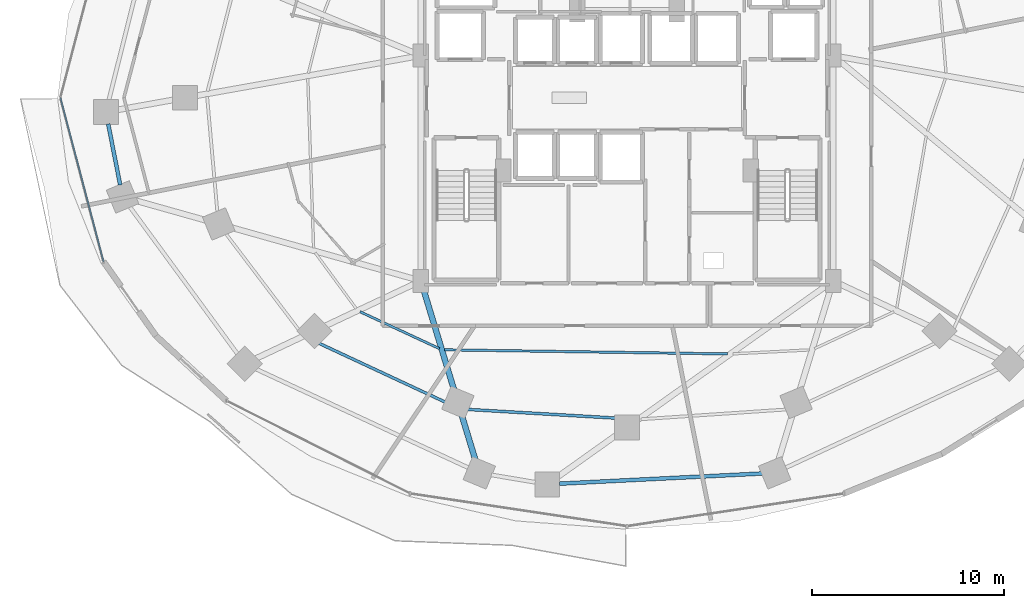
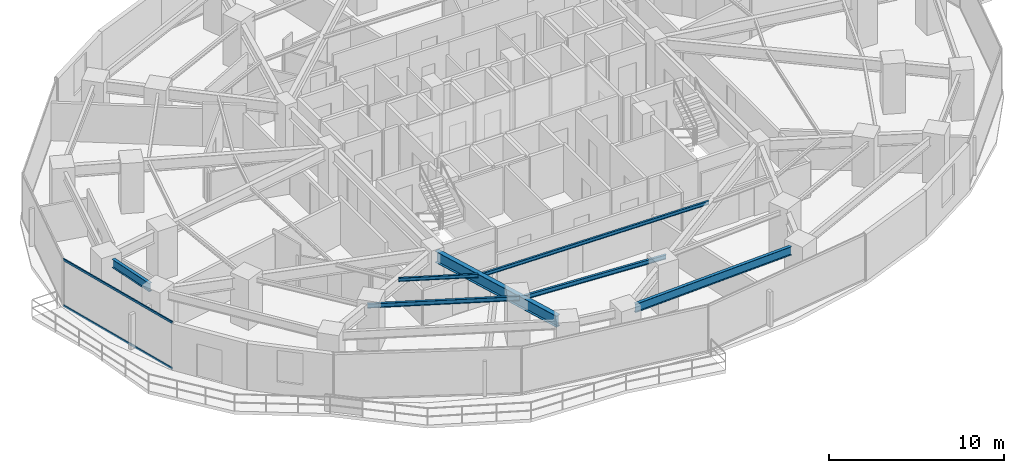
# One storey, part 6 of 30: 7 beams, 2 members, 1 element without a shape of its own.
"""IFC4 building model written with IfcOpenShell, lengths in metres."""

import ifcopenshell
import ifcopenshell.guid

model = None  # the IFC model being written
_history = None  # IfcOwnerHistory: only IFC2X3 demands one
_inside = {}  # id of a spatial element -> (the spatial element, [elements in it])
_under = {}  # id of a project, library or spatial element -> (it, [spatial elements below it])
_declared = {}  # id of a project -> (the project, [libraries it declares])
_typed = {}  # id of a type object -> (the type object, [elements of that type])
_made_of = {}  # id of a material, layer set ... -> (it, [elements and type objects made of it])


def new_model(schema):
    """Start an empty IFC model of exactly this schema.

    Asked for "IFC4X3", IfcOpenShell would pick the latest addendum, in which some entities
    have other attributes; the version numbers below select the first issue.
    IFC2X3 requires an IfcOwnerHistory on every rooted entity: one is made here for all.
    """
    global model, _history
    if schema == "IFC4X3":
        model = ifcopenshell.file(schema_version=(4, 3, 0, 0))
    else:
        model = ifcopenshell.file(schema=schema)
    _inside.clear()
    _under.clear()
    _declared.clear()
    _typed.clear()
    _made_of.clear()
    _history = None
    if model.schema == "IFC2X3":
        org = make("IfcOrganization", Name="unknown")
        user = make(
            "IfcPersonAndOrganization",
            ThePerson=make("IfcPerson", FamilyName="unknown"),
            TheOrganization=org,
        )
        app = make(
            "IfcApplication",
            ApplicationDeveloper=org,
            Version="unknown",
            ApplicationFullName="unknown",
            ApplicationIdentifier="unknown",
        )
        _history = make(
            "IfcOwnerHistory",
            OwningUser=user,
            OwningApplication=app,
            ChangeAction="ADDED",
            CreationDate=0,
        )
    return model


def make(cls, **values):
    """One entity of the class cls with the attributes given. An attribute that is None is left unset."""
    return model.create_entity(
        cls, **{name: value for name, value in values.items() if value is not None}
    )


def rooted(cls, **values):
    """An entity with a GlobalId (a new one), such as an element, a storey or a relation."""
    return make(cls, GlobalId=ifcopenshell.guid.new(), OwnerHistory=_history, **values)


def si_unit(unit_type, name, prefix=None):
    """IfcSIUnit, for example si_unit("LENGTHUNIT", "METRE", prefix="MILLI")."""
    return make("IfcSIUnit", UnitType=unit_type, Prefix=prefix, Name=name)


def assignment(units):
    """IfcUnitAssignment: the units of a project."""
    return None if units is None else make("IfcUnitAssignment", Units=units)


def point(xyz):
    """IfcCartesianPoint."""
    return None if xyz is None else make("IfcCartesianPoint", Coordinates=xyz)


def direction(xyz):
    """IfcDirection."""
    return None if xyz is None else make("IfcDirection", DirectionRatios=xyz)


def frame(location, z_axis=None, x_axis=None):
    """IfcAxis2Placement3D, a coordinate frame: its origin and axes. An axis left out is left unset."""
    return make(
        "IfcAxis2Placement3D",
        Location=point(location),
        Axis=direction(z_axis),
        RefDirection=direction(x_axis),
    )


def frame_2d(location, x_axis=None):
    """IfcAxis2Placement2D, a coordinate frame in the plane: its origin and x axis."""
    return make(
        "IfcAxis2Placement2D", Location=point(location), RefDirection=direction(x_axis)
    )


def origin():
    """The frame at (0, 0, 0) with its axes left unset."""
    return frame((0.0, 0.0, 0.0))


def origin_2d():
    """The frame at (0, 0) in the plane with its x axis left unset."""
    return frame_2d((0.0, 0.0))


def place(relative_to, where):
    """IfcLocalPlacement: puts the frame where relative to a parent placement (None: the world)."""
    return make(
        "IfcLocalPlacement", PlacementRelTo=relative_to, RelativePlacement=where
    )


def context(
    kind, dimensions, precision=None, world=None, true_north=None, identifier=None
):
    """IfcGeometricRepresentationContext, for example the 3D "Model" context."""
    return make(
        "IfcGeometricRepresentationContext",
        ContextIdentifier=identifier,
        ContextType=kind,
        CoordinateSpaceDimension=dimensions,
        Precision=precision,
        WorldCoordinateSystem=world,
        TrueNorth=true_north,
    )


def subcontext(parent, identifier, kind, view, scale=None):
    """IfcGeometricRepresentationSubContext, for example "Body" below "Model"."""
    return make(
        "IfcGeometricRepresentationSubContext",
        ContextIdentifier=identifier,
        ContextType=kind,
        ParentContext=parent,
        TargetScale=scale,
        TargetView=view,
    )


def project(units=None, contexts=None):
    """IfcProject with its units and contexts."""
    return rooted(
        "IfcProject",
        Name="project",
        RepresentationContexts=contexts,
        UnitsInContext=assignment(units),
    )


def spatial(cls, under=None, at=None, **own):
    """A site, building, storey or space (cls), placed at a placement, below another one or the project."""
    s = rooted(cls, ObjectPlacement=at, **own)
    if under is not None:
        _under.setdefault(under.id(), (under, []))[1].append(s)
    return s


def profile(cls, at=None, kind="AREA", **sizes):
    """A parametric profile (cls). Its sizes go by their IFC names, for example OverallWidth=200.0."""
    return make(cls, ProfileType=kind, Position=at, **sizes)


def hollow_rectangle(**sizes):
    """IfcRectangleHollowProfileDef."""
    return profile("IfcRectangleHollowProfileDef", **sizes)


def i_section(**sizes):
    """IfcIShapeProfileDef."""
    return profile("IfcIShapeProfileDef", **sizes)


def extrude(swept, where, along, depth):
    """IfcExtrudedAreaSolid: the profile swept, set in the frame where, extruded along a direction by depth."""
    return make(
        "IfcExtrudedAreaSolid",
        SweptArea=swept,
        Position=where,
        ExtrudedDirection=direction(along),
        Depth=depth,
    )


def shape(context_of_items, identifier, shape_type, items):
    """IfcShapeRepresentation: the items that make up one representation, for example the "Body"."""
    return make(
        "IfcShapeRepresentation",
        ContextOfItems=context_of_items,
        RepresentationIdentifier=identifier,
        RepresentationType=shape_type,
        Items=items,
    )


def material(Name=None, Category=None):
    """IfcMaterial."""
    return make("IfcMaterial", Name=Name, Category=Category)


def material_profile(
    of_material, cross_section, Name=None, Category=None, Priority=None
):
    """IfcMaterialProfile: a cross section and its material."""
    return make(
        "IfcMaterialProfile",
        Name=Name,
        Material=of_material,
        Profile=cross_section,
        Priority=Priority,
        Category=Category,
    )


def profile_set(profiles, Name=None, composite=None):
    """IfcMaterialProfileSet."""
    return make(
        "IfcMaterialProfileSet",
        Name=Name,
        MaterialProfiles=profiles,
        CompositeProfile=composite,
    )


def made_of(thing, what):
    """Note that an element or type object is made of a material, layer set ...; save() writes the relation."""
    if what is not None:
        _made_of.setdefault(what.id(), (what, []))[1].append(thing)
    return thing


def type_object(cls, material=None, **own):
    """A type object (cls), such as IfcWallType, which elements share."""
    return made_of(rooted(cls, **own), material)


def element(
    cls,
    number,
    at=None,
    inside=None,
    cuts=None,
    type_object=None,
    material=None,
    context=None,
    identifier="Body",
    shape_type=None,
    held_by="IfcProductDefinitionShape",
    body=None,
    shapes=None,
    **own,
):
    """One element of the class cls, such as IfcWall. Its Tag is "e" and its number.

    at: its placement. inside: the storey or other place that contains it. cuts: it is an
    opening in that element (IfcRelVoidsElement). A single representation is given by context,
    identifier, shape_type and body (its items); several are given by shapes. held_by: the class
    of the entity that holds the representations. save() writes the other relations.
    """
    e = rooted(cls, Tag="e%d" % number, ObjectPlacement=at, **own)
    if body is not None:
        shapes = [shape(context, identifier, shape_type, body)]
    if shapes is not None:
        e.Representation = make(held_by, Representations=shapes)
    if inside is not None:
        _inside.setdefault(inside.id(), (inside, []))[1].append(e)
    if cuts is not None:
        rooted(
            "IfcRelVoidsElement", RelatingBuildingElement=cuts, RelatedOpeningElement=e
        )
    if type_object is not None:
        _typed.setdefault(type_object.id(), (type_object, []))[1].append(e)
    return made_of(e, material)


def aggregate(whole, parts):
    """IfcRelAggregates: a whole, such as a stair, and the parts it consists of."""
    return rooted("IfcRelAggregates", RelatingObject=whole, RelatedObjects=parts)


def save(model, path):
    """Write the relations noted so far, then the file.

    IfcRelAggregates (storeys below a building ...), IfcRelContainedInSpatialStructure (elements
    in a storey), IfcRelDefinesByType, IfcRelAssociatesMaterial and IfcRelDeclares: one each for
    every whole, place, type object, material and project.
    """
    for whole, parts in _under.values():
        aggregate(whole, parts)
    for where, things in _inside.values():
        rooted(
            "IfcRelContainedInSpatialStructure",
            RelatedElements=things,
            RelatingStructure=where,
        )
    for kind, things in _typed.values():
        rooted("IfcRelDefinesByType", RelatedObjects=things, RelatingType=kind)
    for what, things in _made_of.values():
        rooted("IfcRelAssociatesMaterial", RelatedObjects=things, RelatingMaterial=what)
    for by, libraries in _declared.values():
        rooted("IfcRelDeclares", RelatingContext=by, RelatedDefinitions=libraries)
    model.write(path)


model = new_model("IFC4")

# Units and contexts
model_context = context("Model", 3, precision=1e-05, world=origin(), true_north=direction((0.0, 1.0)))
body_context = subcontext(model_context, "Body", "Model", "MODEL_VIEW")
ifc_project = project(units=[si_unit("LENGTHUNIT", "METRE"), si_unit("AREAUNIT", "SQUARE_METRE"), si_unit("VOLUMEUNIT", "CUBIC_METRE"), si_unit("PLANEANGLEUNIT", "RADIAN"), si_unit("MASSUNIT", "GRAM", prefix="KILO")], contexts=[model_context])

# Site, building, storey
site_placement = place(None, origin())
site = spatial("IfcSite", under=ifc_project, at=site_placement, CompositionType="ELEMENT")
building_placement = place(site_placement, origin())
building = spatial("IfcBuilding", under=site, at=building_placement, Name="Vorneva Point Tower", CompositionType="ELEMENT")
storey_placement = place(building_placement, frame((0.0, 0.0, 41.5)))
storey = spatial("IfcBuildingStorey", under=building, at=storey_placement, Name="L10", CompositionType="ELEMENT", Elevation=41.5)

# Beams
ifc_material_1 = material(Name="Steel S355", Category="steel")
ifc_material_profile_1 = material_profile(ifc_material_1, i_section(OverallWidth=0.300048828125, OverallDepth=0.7880859375, WebThickness=0.014404296875, FlangeThickness=0.02197265625, at=origin_2d()), Name="80Sh1")
ifc_profile_set_1 = profile_set([ifc_material_profile_1], Name="Steel S355")
beam_type_1 = type_object("IfcBeamType", Name="BM-GRD-80Sh1", PredefinedType="USERDEFINED", material=ifc_profile_set_1)
beam_1_placement = place(storey_placement, frame((30.111083984375, 7.045654296875, 2.845947265625), z_axis=(-0.29104183924, 0.956710325967, 0.0), x_axis=(-0.956710325967, -0.29104183924, 0.0)))
element("IfcBeam", 1, at=beam_1_placement, inside=storey, type_object=beam_type_1, Name="L10 Radial Primary Girder 12", ObjectType="GIRDER", PredefinedType="USERDEFINED", context=body_context, shape_type="SweptSolid", body=[
    extrude(i_section(OverallWidth=0.300048828125, OverallDepth=0.7880859375, WebThickness=0.014404296875, FlangeThickness=0.02197265625, at=origin_2d()), origin(), (0.0, 0.0, 1.0), 9.489990234375),
])
ifc_material_profile_2 = material_profile(ifc_material_1, i_section(OverallWidth=0.1240234375, OverallDepth=0.248046875, WebThickness=0.0048828125, FlangeThickness=0.008056640625, at=origin_2d()), Name="25B1")
ifc_profile_set_2 = profile_set([ifc_material_profile_2], Name="Steel S355")
beam_type_2 = type_object("IfcBeamType", Name="BM-JST-25B1", PredefinedType="JOIST", material=ifc_profile_set_2)
beam_2_placement = place(storey_placement, frame((24.078125, 14.839599609375, 3.115966796875), z_axis=(0.906750590893, -0.421667364063, 0.0), x_axis=(0.421667364063, 0.906750590893, 0.0)))
element("IfcBeam", 2, at=beam_2_placement, inside=storey, type_object=beam_type_2, Name="L10 Secondary Floor Beam 2.11", PredefinedType="JOIST", context=body_context, shape_type="SweptSolid", body=[
    extrude(i_section(OverallWidth=0.1240234375, OverallDepth=0.248046875, WebThickness=0.0048828125, FlangeThickness=0.008056640625, at=origin_2d()), origin(), (0.0, 0.0, 1.0), 4.56591796875),
])
beam_3_placement = place(storey_placement, frame((28.4814453125, 12.854248046875, 3.115966796875), z_axis=(0.999894266609, -0.014541513049, 0.0), x_axis=(0.014541513049, 0.999894266609, 0.0)))
element("IfcBeam", 3, at=beam_3_placement, inside=storey, type_object=beam_type_2, Name="L10 Secondary Floor Beam 2.12", PredefinedType="JOIST", context=body_context, shape_type="SweptSolid", body=[
    extrude(i_section(OverallWidth=0.1240234375, OverallDepth=0.248046875, WebThickness=0.0048828125, FlangeThickness=0.008056640625, at=origin_2d()), origin(), (0.0, 0.0, 1.0), 14.7744140625),
])
ifc_material_profile_3 = material_profile(ifc_material_1, i_section(OverallWidth=0.14892578125, OverallDepth=0.298095703125, WebThickness=0.005615234375, FlangeThickness=0.008056640625, at=origin_2d()), Name="30B1")
ifc_profile_set_3 = profile_set([ifc_material_profile_3], Name="Steel S355")
beam_type_3 = type_object("IfcBeamType", Name="BM-JST-30B1", PredefinedType="JOIST", material=ifc_profile_set_3)
beam_4_placement = place(storey_placement, frame((21.2548828125, 13.510498046875, 3.091064453125), z_axis=(0.906403355504, -0.422413253971, 0.0), x_axis=(0.422413253971, 0.906403355504, 0.0)))
element("IfcBeam", 4, at=beam_4_placement, inside=storey, type_object=beam_type_3, Name="L10 Secondary Floor Beam 1.11", PredefinedType="JOIST", context=body_context, shape_type="SweptSolid", body=[
    extrude(i_section(OverallWidth=0.14892578125, OverallDepth=0.298095703125, WebThickness=0.005615234375, FlangeThickness=0.008056640625, at=origin_2d()), origin(), (0.0, 0.0, 1.0), 8.718505859375),
])
beam_5_placement = place(storey_placement, frame((29.42041015625, 9.76123046875, 3.091064453125), z_axis=(0.998280877654, -0.058611341146, 0.0), x_axis=(0.058611341146, 0.998280877654, 0.0)))
element("IfcBeam", 5, at=beam_5_placement, inside=storey, type_object=beam_type_3, Name="L10 Secondary Floor Beam 1.12", PredefinedType="JOIST", context=body_context, shape_type="SweptSolid", body=[
    extrude(i_section(OverallWidth=0.14892578125, OverallDepth=0.298095703125, WebThickness=0.005615234375, FlangeThickness=0.008056640625, at=origin_2d()), origin(), (0.0, 0.0, 1.0), 9.051513671875),
])
ifc_material_profile_4 = material_profile(ifc_material_1, i_section(OverallWidth=0.198974609375, OverallDepth=0.595947265625, WebThickness=0.010009765625, FlangeThickness=0.014892578125, at=origin_2d()), Name="60B1")
ifc_profile_set_4 = profile_set([ifc_material_profile_4], Name="Steel S355")
beam_type_4 = type_object("IfcBeamType", Name="BM-SPN-60B1", PredefinedType="SPANDREL", material=ifc_profile_set_4)
beam_6_placement = place(storey_placement, frame((10.940185546875, 24.6376953125, 2.94189453125), z_axis=(0.192701334008, -0.981257456467, 0.0), x_axis=(0.981257456467, 0.192701334008, 0.0)))
element("IfcBeam", 6, at=beam_6_placement, inside=storey, type_object=beam_type_4, Name="L10 Perimeter Spandrel Ring Beam 09", PredefinedType="SPANDREL", context=body_context, shape_type="SweptSolid", body=[
    extrude(i_section(OverallWidth=0.198974609375, OverallDepth=0.595947265625, WebThickness=0.010009765625, FlangeThickness=0.014892578125, at=origin_2d()), origin(), (0.0, 0.0, 1.0), 3.245849609375),
])
beam_7_placement = place(storey_placement, frame((34.474609375, 5.87158203125, 2.94189453125), z_axis=(0.998742793008, 0.050128169866, 0.0), x_axis=(-0.050128169866, 0.998742793008, 0.0)))
element("IfcBeam", 7, at=beam_7_placement, inside=storey, type_object=beam_type_4, Name="L10 Perimeter Spandrel Ring Beam 13", PredefinedType="SPANDREL", context=body_context, shape_type="SweptSolid", body=[
    extrude(i_section(OverallWidth=0.198974609375, OverallDepth=0.595947265625, WebThickness=0.010009765625, FlangeThickness=0.014892578125, at=origin_2d()), origin(), (0.0, 0.0, 1.0), 10.607666015625),
])

# Curtain wall, members
ifc_material_2 = material(Name="Pale anodised aluminium", Category="aluminium")
curtain_wall_type = type_object("IfcCurtainWallType", Name="CW-HTL-SYS", PredefinedType="NOTDEFINED", material=ifc_material_2)
curtain_wall_placement = place(storey_placement, origin())
curtain_wall = element("IfcCurtainWall", 8, at=curtain_wall_placement, inside=storey, type_object=curtain_wall_type, Name="L10 Unitised Curtain Wall CW-L10-R03", PredefinedType="NOTDEFINED")
ifc_material_profile_5 = material_profile(ifc_material_2, hollow_rectangle(XDim=0.074951171875, YDim=0.14990234375, WallThickness=0.00390625, at=origin_2d()), Name="AL-TRN 150x75x4")
ifc_profile_set_5 = profile_set([ifc_material_profile_5], Name="Pale anodised aluminium")
member_type = type_object("IfcMemberType", Name="CW-TRN-150", PredefinedType="USERDEFINED", material=ifc_profile_set_5)
member_1_placement = place(storey_placement, frame((8.449951171875, 26.0, 0.02001953125), z_axis=(0.254358772746, -0.967109928978, 0.0), x_axis=(0.967109928978, 0.254358772746, 0.0)))
member_1 = element("IfcMember", 9, at=member_1_placement, type_object=member_type, Name="CW-L10-R03 Transom 03.1", ObjectType="TRANSOM", PredefinedType="USERDEFINED", context=body_context, shape_type="SweptSolid", body=[
    extrude(hollow_rectangle(XDim=0.074951171875, YDim=0.14990234375, WallThickness=0.00390625, at=origin_2d()), origin(), (0.0, 0.0, 1.0), 8.84375),
])
member_2_placement = place(storey_placement, frame((8.449951171875, 26.0, 3.219970703125), z_axis=(0.254358772746, -0.967109928978, 0.0), x_axis=(0.967109928978, 0.254358772746, 0.0)))
member_2 = element("IfcMember", 10, at=member_2_placement, type_object=member_type, Name="CW-L10-R03 Transom 03.2", ObjectType="TRANSOM", PredefinedType="USERDEFINED", context=body_context, shape_type="SweptSolid", body=[
    extrude(hollow_rectangle(XDim=0.074951171875, YDim=0.14990234375, WallThickness=0.00390625, at=origin_2d()), origin(), (0.0, 0.0, 1.0), 8.84375),
])
aggregate(curtain_wall, [member_1, member_2])

save(model, "model.ifc")
